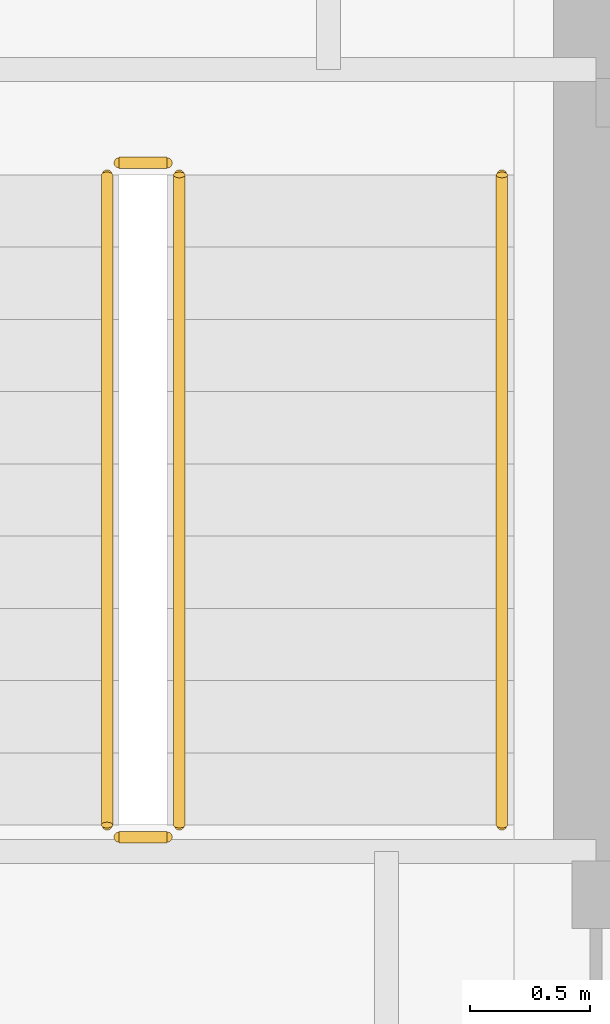
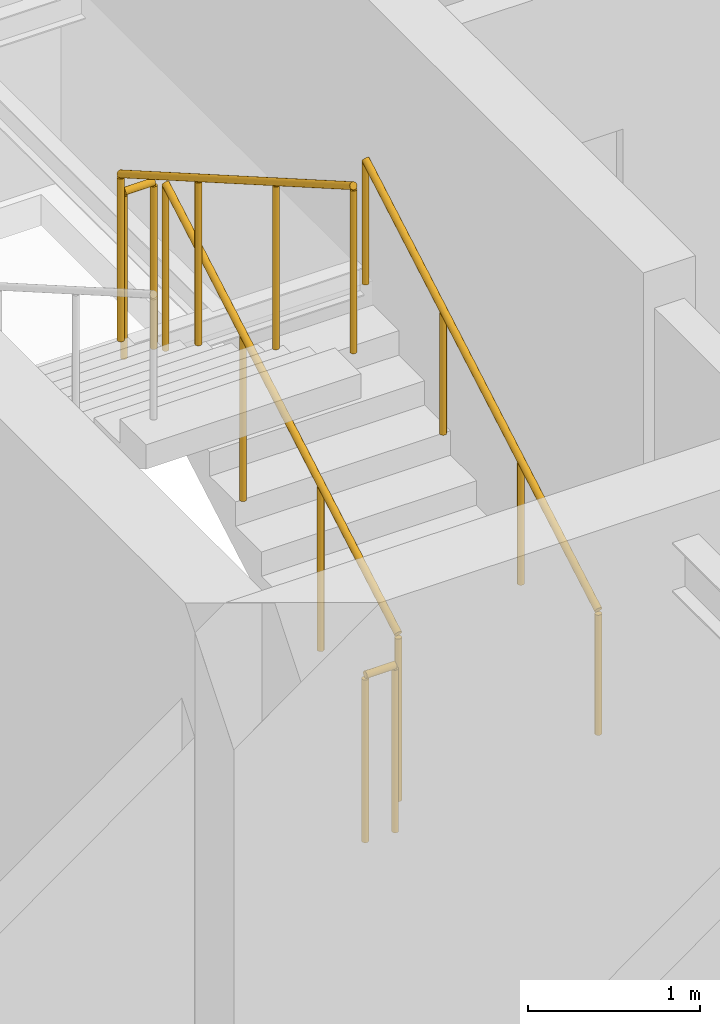
# One storey, part 15 of 16: 5 railings.
"""IFC4 building model written with IfcOpenShell, lengths in metres."""

from ifc_helpers import new_model, si_unit, direction, frame, origin, origin_2d, place, context, subcontext, project, spatial, circle, extrude, material, type_object, element, save


model = new_model("IFC4")

# Units and contexts
model_context = context("Model", 3, precision=1e-05, world=origin(), true_north=direction((0.0, 1.0)))
body_context = subcontext(model_context, "Body", "Model", "MODEL_VIEW")
ifc_project = project(units=[si_unit("LENGTHUNIT", "METRE"), si_unit("AREAUNIT", "SQUARE_METRE"), si_unit("VOLUMEUNIT", "CUBIC_METRE"), si_unit("PLANEANGLEUNIT", "RADIAN"), si_unit("MASSUNIT", "GRAM", prefix="KILO")], contexts=[model_context])

# Site, building, storey
site_placement = place(None, origin())
site = spatial("IfcSite", under=ifc_project, at=site_placement, CompositionType="ELEMENT")
building_placement = place(site_placement, origin())
building = spatial("IfcBuilding", under=site, at=building_placement, Name="Qiaolan Cultural Towers", CompositionType="ELEMENT")
storey_placement = place(building_placement, frame((0.0, 0.0, 198.949951171875)))
storey = spatial("IfcBuildingStorey", under=building, at=storey_placement, Name="L53", CompositionType="ELEMENT", Elevation=198.949951171875)

# Railings
ifc_material_1 = material(Name="Galvanized Painted Steel Stair Guardrail", Category="steel")
railing_type_1 = type_object("IfcRailingType", Name="RL-STAIR-GRD", PredefinedType="GUARDRAIL", material=ifc_material_1)
railing_1_placement = place(storey_placement, frame((23.989990234375, 48.449951171875, 0.172607421875)))
element("IfcRailing", 1, at=railing_1_placement, inside=storey, type_object=railing_type_1, Name="L53 ST-W2 stair guard 1", PredefinedType="GUARDRAIL", context=body_context, shape_type="SweptSolid", body=[
    extrude(circle(Radius=0.02392578125, at=origin_2d()), frame((0.0, 0.0, 1.17578125), z_axis=(0.0, 0.866903762492, 0.498475542607), x_axis=(-1.0, 0.0, 0.0)), (0.0, 0.0, 1.0), 3.114501953125),
    extrude(circle(Radius=0.02099609375, at=origin_2d()), origin(), (0.0, 0.0, 1.0), 1.15185546875),
    extrude(circle(Radius=0.02099609375, at=origin_2d()), frame((0.0, 0.89990234375, 0.517578125)), (0.0, 0.0, 1.0), 1.15185546875),
    extrude(circle(Radius=0.02099609375, at=origin_2d()), frame((0.0, 1.800048828125, 1.034912109375)), (0.0, 0.0, 1.0), 1.15185546875),
    extrude(circle(Radius=0.02099609375, at=origin_2d()), frame((0.0, 2.699951171875, 1.552490234375)), (0.0, 0.0, 1.0), 1.15185546875),
])
railing_2_placement = place(storey_placement, frame((23.93994140625, 51.199951171875, 1.72509765625)))
element("IfcRailing", 2, at=railing_2_placement, inside=storey, type_object=railing_type_1, Name="L53 ST-W2 stair guard 2", PredefinedType="GUARDRAIL", context=body_context, shape_type="SweptSolid", body=[
    extrude(circle(Radius=0.02392578125, at=origin_2d()), frame((0.0, 0.0, 1.17578125), z_axis=(-1.0, 0.0, 0.0), x_axis=(0.0, -1.0, 0.0)), (0.0, 0.0, 1.0), 0.199951171875),
    extrude(circle(Radius=0.02099609375, at=origin_2d()), origin(), (0.0, 0.0, 1.0), 1.15185546875),
    extrude(circle(Radius=0.02099609375, at=origin_2d()), frame((-0.199951171875, 0.0, 0.0)), (0.0, 0.0, 1.0), 1.15185546875),
])
railing_3_placement = place(storey_placement, frame((23.68994140625, 51.14990234375, 1.8974609375)))
element("IfcRailing", 3, at=railing_3_placement, inside=storey, type_object=railing_type_1, Name="L53 ST-W2 stair guard 3", PredefinedType="GUARDRAIL", context=body_context, shape_type="SweptSolid", body=[
    extrude(circle(Radius=0.02392578125, at=origin_2d()), frame((0.0, 0.0, 1.17578125), z_axis=(0.0, -0.866903762492, 0.498475542607), x_axis=(1.0, 0.0, 0.0)), (0.0, 0.0, 1.0), 3.114501953125),
    extrude(circle(Radius=0.02099609375, at=origin_2d()), origin(), (0.0, 0.0, 1.0), 1.15185546875),
    extrude(circle(Radius=0.02099609375, at=origin_2d()), frame((0.0, -0.89990234375, 0.517578125)), (0.0, 0.0, 1.0), 1.15185546875),
    extrude(circle(Radius=0.02099609375, at=origin_2d()), frame((0.0, -1.800048828125, 1.034912109375)), (0.0, 0.0, 1.0), 1.15185546875),
    extrude(circle(Radius=0.02099609375, at=origin_2d()), frame((0.0, -2.699951171875, 1.552490234375)), (0.0, 0.0, 1.0), 1.15185546875),
])
railing_4_placement = place(storey_placement, frame((23.93994140625, 48.39990234375, 0.0)))
element("IfcRailing", 4, at=railing_4_placement, inside=storey, type_object=railing_type_1, Name="L53 ST-W2 stair guard 4", PredefinedType="GUARDRAIL", context=body_context, shape_type="SweptSolid", body=[
    extrude(circle(Radius=0.02392578125, at=origin_2d()), frame((0.0, 0.0, 1.17578125), z_axis=(-1.0, 0.0, 0.0), x_axis=(0.0, -1.0, 0.0)), (0.0, 0.0, 1.0), 0.199951171875),
    extrude(circle(Radius=0.02099609375, at=origin_2d()), origin(), (0.0, 0.0, 1.0), 1.15185546875),
    extrude(circle(Radius=0.02099609375, at=origin_2d()), frame((-0.199951171875, 0.0, 0.0)), (0.0, 0.0, 1.0), 1.15185546875),
])
ifc_material_2 = material(Name="Stainless Steel S30408 Tubular Handrail", Category="steel")
railing_type_2 = type_object("IfcRailingType", Name="RL-STAIR-HR", PredefinedType="HANDRAIL", material=ifc_material_2)
railing_5_placement = place(storey_placement, frame((25.330078125, 48.449951171875, 0.172607421875)))
element("IfcRailing", 5, at=railing_5_placement, inside=storey, type_object=railing_type_2, Name="L53 ST-W2 stair handrail 1", PredefinedType="HANDRAIL", context=body_context, shape_type="SweptSolid", body=[
    extrude(circle(Radius=0.02392578125, at=origin_2d()), frame((0.0, 0.0, 0.8759765625), z_axis=(0.0, 0.866903762492, 0.498475542607), x_axis=(-1.0, 0.0, 0.0)), (0.0, 0.0, 1.0), 3.114501953125),
    extrude(circle(Radius=0.02099609375, at=origin_2d()), origin(), (0.0, 0.0, 1.0), 0.851806640625),
    extrude(circle(Radius=0.02099609375, at=origin_2d()), frame((0.0, 0.89990234375, 0.517578125)), (0.0, 0.0, 1.0), 0.851806640625),
    extrude(circle(Radius=0.02099609375, at=origin_2d()), frame((0.0, 1.800048828125, 1.034912109375)), (0.0, 0.0, 1.0), 0.851806640625),
    extrude(circle(Radius=0.02099609375, at=origin_2d()), frame((0.0, 2.699951171875, 1.552490234375)), (0.0, 0.0, 1.0), 0.851806640625),
])

save(model, "model.ifc")
